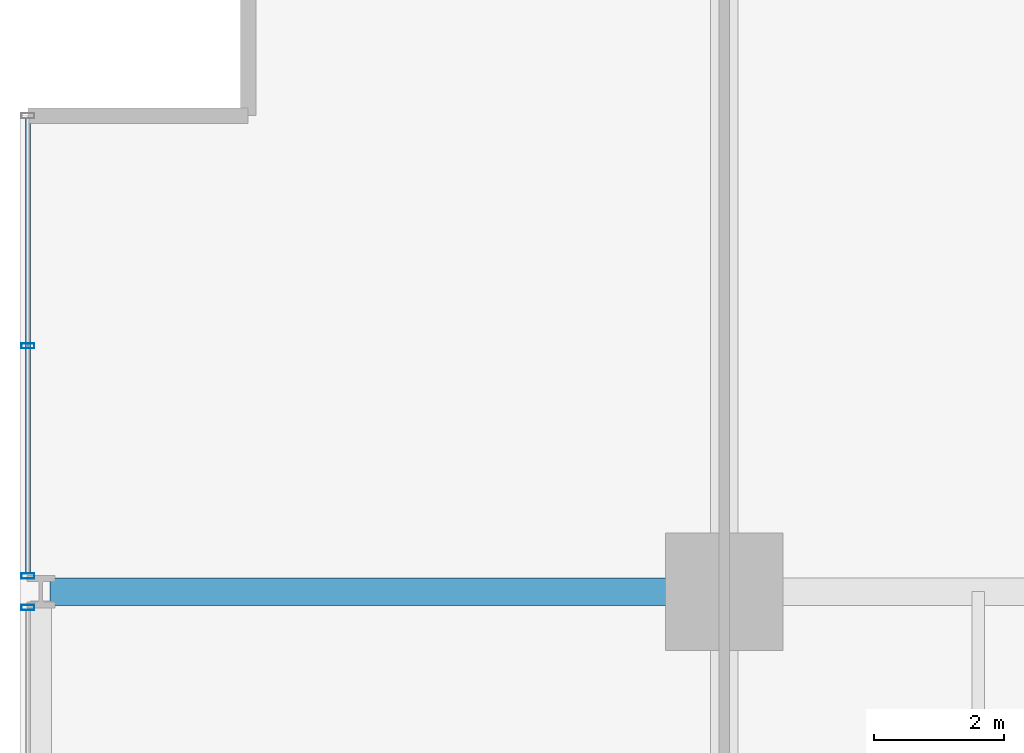
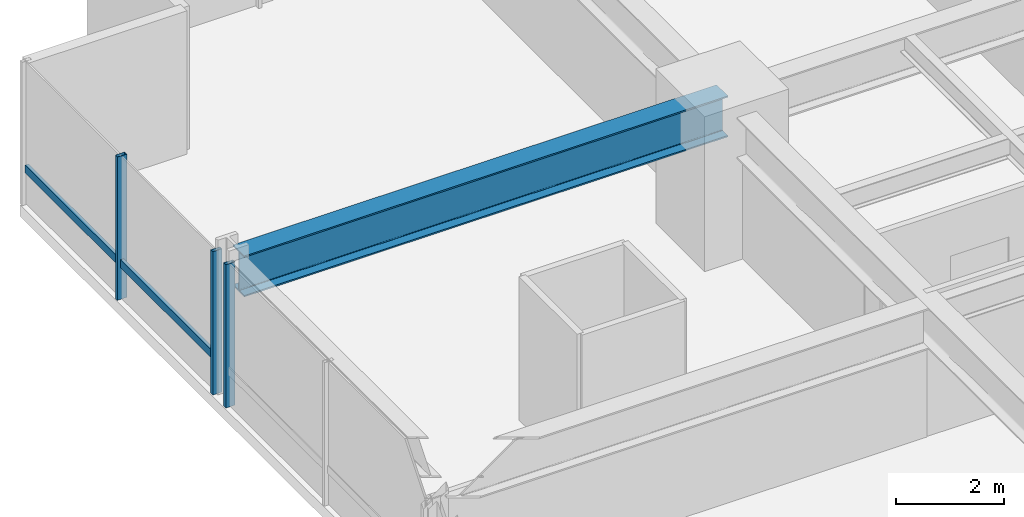
# One storey, part 19 of 38: 4 members, 1 beam, 2 elements without a shape of their own.
"""IFC4 building model written with IfcOpenShell, lengths in metres."""

from ifc_helpers import new_model, si_unit, direction, frame, origin, origin_2d, place, context, subcontext, project, spatial, hollow_rectangle, i_section, extrude, material, layer, layer_set, material_profile, profile_set, type_object, element, aggregate, save


model = new_model("IFC4")

# Units and contexts
model_context = context("Model", 3, precision=1e-05, world=origin(), true_north=direction((0.0, 1.0)))
body_context = subcontext(model_context, "Body", "Model", "MODEL_VIEW")
ifc_project = project(units=[si_unit("LENGTHUNIT", "METRE"), si_unit("AREAUNIT", "SQUARE_METRE"), si_unit("VOLUMEUNIT", "CUBIC_METRE"), si_unit("PLANEANGLEUNIT", "RADIAN"), si_unit("MASSUNIT", "GRAM", prefix="KILO")], contexts=[model_context])

# Site, building, storey
site_placement = place(None, origin())
site = spatial("IfcSite", under=ifc_project, at=site_placement, CompositionType="ELEMENT")
building_placement = place(site_placement, origin())
building = spatial("IfcBuilding", under=site, at=building_placement, Name="Drelvath Grand Hotel", CompositionType="ELEMENT")
storey_placement = place(building_placement, frame((0.0, 0.0, 50.699951171875)))
storey = spatial("IfcBuildingStorey", under=building, at=storey_placement, Name="L11", CompositionType="ELEMENT", Elevation=50.699951171875)

# Curtain wall, member
ifc_material_1 = material(Name="Warm Bronze Anodised Aluminium Frame", Category="aluminium")
ifc_layer = layer(ifc_material_1, 0.199951171875)
ifc_layer_set = layer_set([ifc_layer], Name="Warm Bronze Anodised Aluminium Frame")
curtain_wall_type = type_object("IfcCurtainWallType", Name="Stick Curtain Wall CW-02 Warm Bronze Low-Rise", PredefinedType="NOTDEFINED", material=ifc_layer_set)
curtain_wall_1_placement = place(storey_placement, origin())
curtain_wall_1 = element("IfcCurtainWall", 1, at=curtain_wall_1_placement, inside=storey, type_object=curtain_wall_type, Name="L11 CW-02 Curtain Wall CW02-L11-WN3", PredefinedType="NOTDEFINED")
ifc_material_profile_1 = material_profile(ifc_material_1, hollow_rectangle(XDim=0.074951171875, YDim=0.179931640625, WallThickness=0.0048828125, at=origin_2d()), Name="HSS180X75X5")
ifc_profile_set_1 = profile_set([ifc_material_profile_1], Name="Warm Bronze Anodised Aluminium Frame")
member_type_1 = type_object("IfcMemberType", Name="Curtain Wall Horizontal Transom CW-02 HSS180X75X5", PredefinedType="USERDEFINED", material=ifc_profile_set_1)
member_1_placement = place(storey_placement, frame((-26.8798828125, 43.48095703125, 0.81005859375), z_axis=(0.0, 1.0, 0.0), x_axis=(-1.0, 0.0, 0.0)))
member_1 = element("IfcMember", 2, at=member_1_placement, type_object=member_type_1, Name="CW02-L11-WN3 Sill Transom", ObjectType="TRANSOM", PredefinedType="USERDEFINED", context=body_context, shape_type="SweptSolid", body=[
    extrude(hollow_rectangle(XDim=0.074951171875, YDim=0.179931640625, WallThickness=0.0048828125, at=origin_2d()), origin(), (0.0, 0.0, 1.0), 6.97900390625),
])

curtain_wall_2_placement = place(storey_placement, origin())
curtain_wall_2 = element("IfcCurtainWall", 3, at=curtain_wall_2_placement, inside=storey, type_object=curtain_wall_type, Name="L11 CW-02 Curtain Wall CW02-L11-WN2", PredefinedType="NOTDEFINED")
ifc_material_profile_2 = material_profile(ifc_material_1, hollow_rectangle(XDim=0.080078125, YDim=0.199951171875, WallThickness=0.0048828125, at=origin_2d()), Name="HSS200X80X5")
ifc_profile_set_2 = profile_set([ifc_material_profile_2], Name="Warm Bronze Anodised Aluminium Frame")
member_type_2 = type_object("IfcMemberType", Name="Curtain Wall Vertical Mullion CW-02 HSS200X80X5", PredefinedType="MULLION", material=ifc_profile_set_2)
member_2_placement = place(storey_placement, frame((-26.8798828125, 42.958984375, 0.0), z_axis=(0.0, 0.0, 1.0), x_axis=(0.0, 1.0, 0.0)))
member_2 = element("IfcMember", 4, at=member_2_placement, type_object=member_type_2, Name="CW02-L11-WN2 Mullion 3", PredefinedType="MULLION", context=body_context, shape_type="SweptSolid", body=[
    extrude(hollow_rectangle(XDim=0.080078125, YDim=0.199951171875, WallThickness=0.0048828125, at=origin_2d()), origin(), (0.0, 0.0, 1.0), 3.239990234375),
])
aggregate(curtain_wall_2, [member_2])

# Member
member_3_placement = place(storey_placement, frame((-26.8798828125, 43.44091796875, 0.0), z_axis=(0.0, 0.0, 1.0), x_axis=(0.0, 1.0, 0.0)))
member_3 = element("IfcMember", 5, at=member_3_placement, type_object=member_type_2, Name="CW02-L11-WN3 Mullion 1", PredefinedType="MULLION", context=body_context, shape_type="SweptSolid", body=[
    extrude(hollow_rectangle(XDim=0.080078125, YDim=0.199951171875, WallThickness=0.0048828125, at=origin_2d()), origin(), (0.0, 0.0, 1.0), 3.239990234375),
])

member_4_placement = place(storey_placement, frame((-26.8798828125, 46.970458984375, 0.0), z_axis=(0.0, 0.0, 1.0), x_axis=(0.0, 1.0, 0.0)))
member_4 = element("IfcMember", 6, at=member_4_placement, type_object=member_type_2, Name="CW02-L11-WN3 Mullion 2", PredefinedType="MULLION", context=body_context, shape_type="SweptSolid", body=[
    extrude(hollow_rectangle(XDim=0.080078125, YDim=0.199951171875, WallThickness=0.0048828125, at=origin_2d()), origin(), (0.0, 0.0, 1.0), 3.239990234375),
])

aggregate(curtain_wall_1, [member_3, member_4, member_1])

# Beam
ifc_material_2 = material(Name="Steel ASTM A992 Gr 50", Category="steel")
ifc_material_profile_3 = material_profile(ifc_material_2, i_section(OverallWidth=0.418212890625, OverallDepth=0.926513671875, WebThickness=0.019287109375, FlangeThickness=0.031982421875, FilletRadius=0.028076171875, at=origin_2d()), Name="W36X231")
ifc_profile_set_3 = profile_set([ifc_material_profile_3], Name="Steel ASTM A992 Gr 50")
beam_type = type_object("IfcBeamType", Name="Primary Floor Girder W36X231", PredefinedType="BEAM", material=ifc_profile_set_3)
beam_placement = place(storey_placement, frame((-26.5400390625, 43.199951171875, 2.77685546875), z_axis=(1.0, 0.0, 0.0), x_axis=(0.0, 1.0, 0.0)))
element("IfcBeam", 7, at=beam_placement, inside=storey, type_object=beam_type, Name="L11 West Grid Girder G", PredefinedType="BEAM", context=body_context, shape_type="SweptSolid", body=[
    extrude(i_section(OverallWidth=0.418212890625, OverallDepth=0.926513671875, WebThickness=0.019287109375, FlangeThickness=0.031982421875, FilletRadius=0.028076171875, at=origin_2d()), origin(), (0.0, 0.0, 1.0), 10.340087890625),
])

save(model, "model.ifc")
